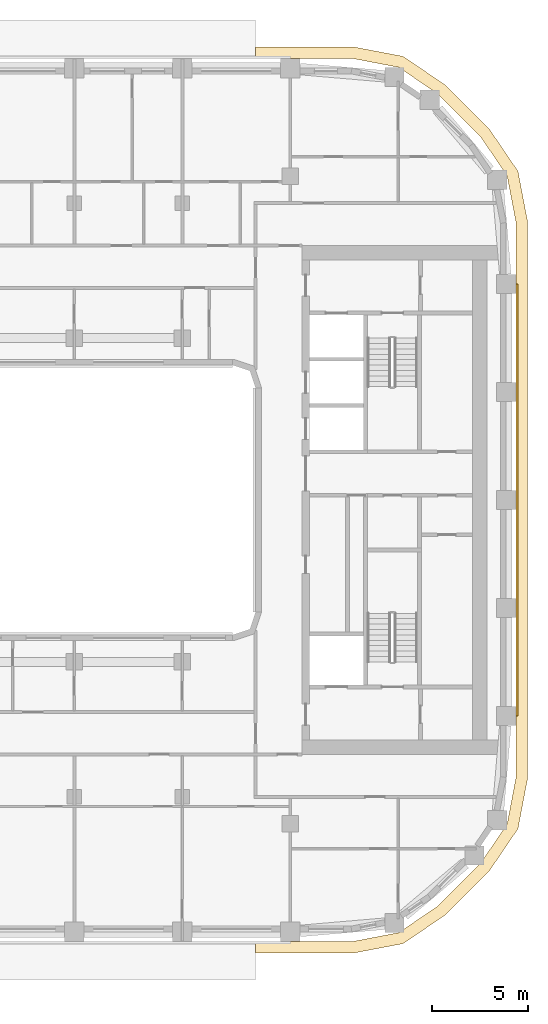
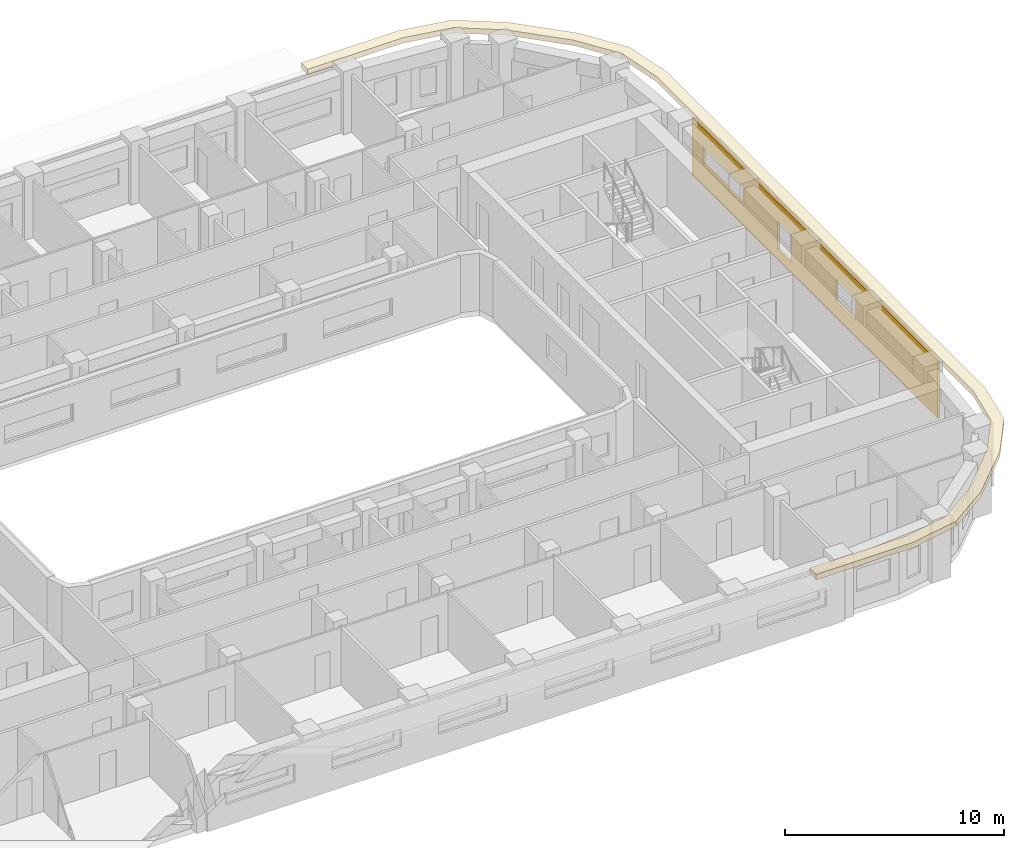
# One storey, part 18 of 22: 2 coverings.
"""IFC4 building model written with IfcOpenShell, lengths in metres."""

from ifc_helpers import new_model, si_unit, direction, frame, origin, place, context, subcontext, project, spatial, polyline, outline, extrude, material, layer, layer_set, type_object, element, save


model = new_model("IFC4")

# Units and contexts
model_context = context("Model", 3, precision=1e-05, world=origin(), true_north=direction((0.0, 1.0)))
body_context = subcontext(model_context, "Body", "Model", "MODEL_VIEW")
ifc_project = project(units=[si_unit("LENGTHUNIT", "METRE"), si_unit("AREAUNIT", "SQUARE_METRE"), si_unit("VOLUMEUNIT", "CUBIC_METRE"), si_unit("PLANEANGLEUNIT", "RADIAN"), si_unit("MASSUNIT", "GRAM", prefix="KILO")], contexts=[model_context])

# Site, building, storey
site_placement = place(None, origin())
site = spatial("IfcSite", under=ifc_project, at=site_placement, CompositionType="ELEMENT")
building_placement = place(site_placement, origin())
building = spatial("IfcBuilding", under=site, at=building_placement, Name="Kiln Ring Residences", CompositionType="ELEMENT")
storey_placement = place(building_placement, frame((0.0, 0.0, 171.10009765625)))
storey = spatial("IfcBuildingStorey", under=building, at=storey_placement, Name="L44", CompositionType="ELEMENT", Elevation=171.10009765625)

# Coverings
ifc_material_1 = material(Name="Brick masonry, dark clay brick", Category="masonry")
ifc_layer_1 = layer(ifc_material_1, 0.1201171875)
ifc_layer_set_1 = layer_set([ifc_layer_1], Name="RAINSCREEN PANEL 120")
covering_type_1 = type_object("IfcCoveringType", Name="RAINSCREEN PANEL 120", PredefinedType="CLADDING", material=ifc_layer_set_1)
covering_1_placement = place(storey_placement, frame((28.56005859375, -11.199951171875, 0.0), z_axis=(0.0, 0.0, 1.0), x_axis=(0.0, 1.0, 0.0)))
element("IfcCovering", 1, at=covering_1_placement, inside=storey, type_object=covering_type_1, Name="RAINSCREEN L44", PredefinedType="CLADDING", context=body_context, shape_type="SweptSolid", body=[
    extrude(outline(polyline([(0.0, 0.0), (22.39990234375, 0.0), (22.39990234375, 3.199951171875), (0.0, 3.199951171875), (0.0, 0.0)]), holes=[polyline([(14.60009765625, 2.14990234375), (13.39990234375, 2.14990234375), (13.39990234375, 0.599853515625), (14.60009765625, 0.599853515625), (14.60009765625, 2.14990234375)]), polyline([(9.300048828125, 0.89990234375), (9.300048828125, 2.14990234375), (7.5, 2.14990234375), (7.5, 0.89990234375), (9.300048828125, 0.89990234375)]), polyline([(21.39990234375, 1.199951171875), (21.39990234375, 2.14990234375), (17.800048828125, 2.14990234375), (17.800048828125, 1.199951171875), (21.39990234375, 1.199951171875)])]), frame((0.0, 0.06005859375, 0.0), z_axis=(0.0, -1.0, 0.0), x_axis=(1.0, 0.0, 0.0)), (0.0, 0.0, 1.0), 0.1201171875),
])
ifc_material_2 = material(Name="Black powder-coated steel", Category="steel")
ifc_layer_2 = layer(ifc_material_2, 0.300048828125)
ifc_layer_set_2 = layer_set([ifc_layer_2], Name="SUNSHADE FIN 600")
covering_type_2 = type_object("IfcCoveringType", Name="SUNSHADE FIN 600", PredefinedType="CLADDING", material=ifc_layer_set_2)
covering_2_placement = place(storey_placement, frame((0.0, 0.0, 3.199951171875)))
element("IfcCovering", 2, at=covering_2_placement, inside=storey, type_object=covering_type_2, Name="SUNSHADE FIN L44", PredefinedType="CLADDING", context=body_context, shape_type="SweptSolid", body=[
    extrude(outline(polyline([(20.10400390625, 23.5), (15.0, 23.5), (15.0, 22.89990234375), (20.04736328125, 22.89990234375), (22.419677734375, 22.447509765625), (24.417236328125, 21.08984375), (26.68994140625, 18.817138671875), (28.047607421875, 16.819580078125), (28.5, 14.447265625), (28.5, -14.447265625), (28.047607421875, -16.819580078125), (26.68994140625, -18.817138671875), (24.417236328125, -21.08984375), (22.419677734375, -22.447509765625), (20.04736328125, -22.89990234375), (15.0, -22.89990234375), (15.0, -23.5), (20.10400390625, -23.5), (22.654052734375, -23.013671875), (24.801513671875, -21.55419921875), (27.154296875, -19.201416015625), (28.613525390625, -17.05419921875), (29.10009765625, -14.50390625), (29.10009765625, 14.50390625), (28.613525390625, 17.05419921875), (27.154296875, 19.201416015625), (24.801513671875, 21.55419921875), (22.654052734375, 23.013671875), (20.10400390625, 23.5)])), origin(), (0.0, 0.0, 1.0), 0.300048828125),
])

save(model, "model.ifc")
